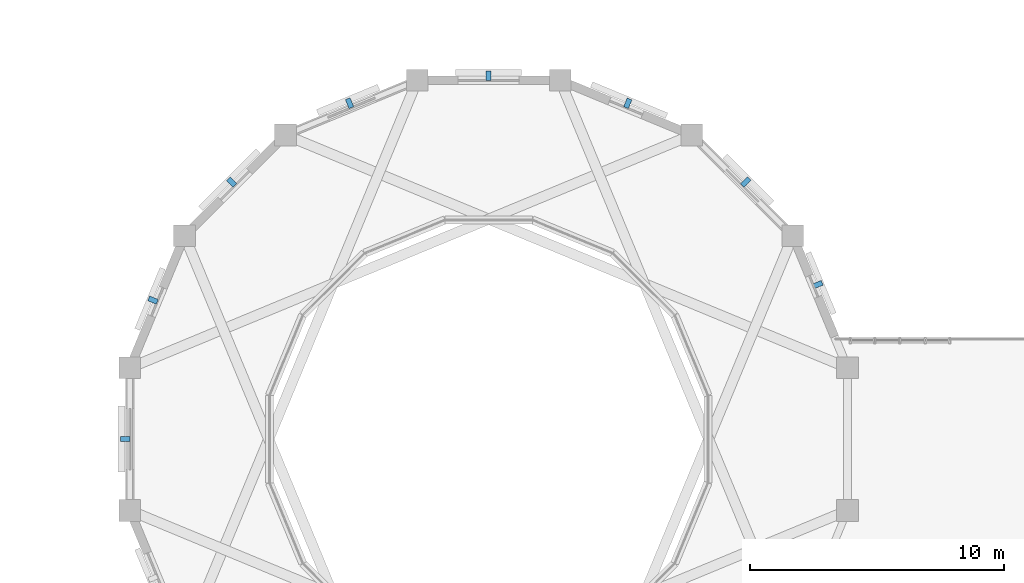
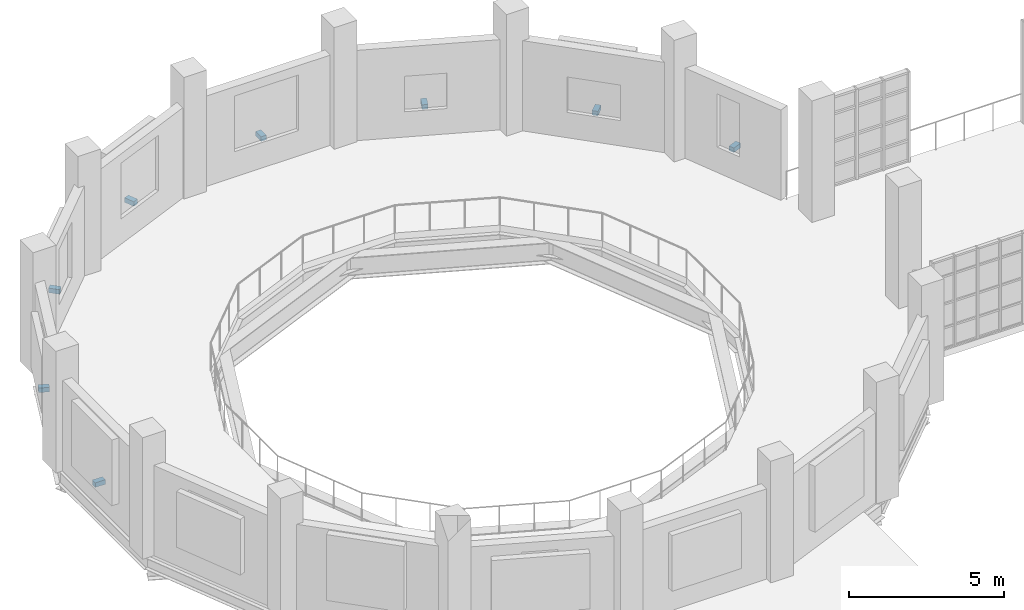
# One storey, part 108 of 122: 8 discrete accessories.
"""IFC4 building model written with IfcOpenShell, lengths in metres."""

from ifc_helpers import new_model, si_unit, direction, frame, origin, place, context, subcontext, project, spatial, polyline, outline, extrude, material, type_object, element, save


model = new_model("IFC4")

# Units and contexts
model_context = context("Model", 3, precision=1e-05, world=origin(), true_north=direction((0.0, 1.0)))
body_context = subcontext(model_context, "Body", "Model", "MODEL_VIEW")
ifc_project = project(units=[si_unit("LENGTHUNIT", "METRE"), si_unit("AREAUNIT", "SQUARE_METRE"), si_unit("VOLUMEUNIT", "CUBIC_METRE"), si_unit("PLANEANGLEUNIT", "RADIAN"), si_unit("MASSUNIT", "GRAM", prefix="KILO"), si_unit("THERMODYNAMICTEMPERATUREUNIT", "KELVIN"), si_unit("POWERUNIT", "WATT")], contexts=[model_context])

# Site, building, storey
site_placement = place(None, origin())
site = spatial("IfcSite", under=ifc_project, at=site_placement, CompositionType="ELEMENT")
building_placement = place(site_placement, origin())
building = spatial("IfcBuilding", under=site, at=building_placement, Name="Zelmaris Science Centre", CompositionType="ELEMENT")
storey_placement = place(building_placement, frame((0.0, 0.0, 10.800048828125)))
storey = spatial("IfcBuildingStorey", under=building, at=storey_placement, Name="L02", CompositionType="ELEMENT", Elevation=10.800048828125)

# Discrete accessories
ifc_material = material(Name="Galvanised steel ASTM A500 Grade B", Category="steel")
discrete_accessory_type = type_object("IfcDiscreteAccessoryType", Name="Facade Bracket BK-02", PredefinedType="BRACKET", material=ifc_material)
discrete_accessory_1_placement = place(storey_placement, frame((0.0, 0.0, 0.919921875)))
element("IfcDiscreteAccessory", 1, at=discrete_accessory_1_placement, inside=storey, type_object=discrete_accessory_type, Name="L02 Louvre support bracket 12", PredefinedType="BRACKET", context=body_context, shape_type="SweptSolid", body=[
    extrude(outline(polyline([(12.876708984375, 71.89990234375), (12.876708984375, 72.10009765625), (12.496826171875, 72.10009765625), (12.496826171875, 71.89990234375), (12.876708984375, 71.89990234375)])), origin(), (0.0, 0.0, 1.0), 0.179931640625),
])
discrete_accessory_2_placement = place(storey_placement, frame((0.0, 0.0, 0.919921875)))
element("IfcDiscreteAccessory", 2, at=discrete_accessory_2_placement, inside=storey, type_object=discrete_accessory_type, Name="L02 Louvre support bracket 13", PredefinedType="BRACKET", context=body_context, shape_type="SweptSolid", body=[
    extrude(outline(polyline([(13.91357421875, 77.3125), (13.989990234375, 77.4970703125), (13.657470703125, 77.635009765625), (13.5810546875, 77.4501953125), (13.91357421875, 77.3125)])), origin(), (0.0, 0.0, 1.0), 0.179931640625),
])
discrete_accessory_3_placement = place(storey_placement, frame((0.0, 0.0, 0.919921875)))
element("IfcDiscreteAccessory", 3, at=discrete_accessory_3_placement, inside=storey, type_object=discrete_accessory_type, Name="L02 Louvre support bracket 14", PredefinedType="BRACKET", context=body_context, shape_type="SweptSolid", body=[
    extrude(outline(polyline([(16.942626953125, 81.916015625), (17.083984375, 82.057373046875), (16.822509765625, 82.319091796875), (16.680908203125, 82.177490234375), (16.942626953125, 81.916015625)])), origin(), (0.0, 0.0, 1.0), 0.179931640625),
])
discrete_accessory_4_placement = place(storey_placement, frame((0.0, 0.0, 0.919921875)))
element("IfcDiscreteAccessory", 4, at=discrete_accessory_4_placement, inside=storey, type_object=discrete_accessory_type, Name="L02 Louvre support bracket 15", PredefinedType="BRACKET", context=body_context, shape_type="SweptSolid", body=[
    extrude(outline(polyline([(21.5029296875, 85.010009765625), (21.687744140625, 85.08642578125), (21.542236328125, 85.4375), (21.357421875, 85.361083984375), (21.5029296875, 85.010009765625)])), origin(), (0.0, 0.0, 1.0), 0.179931640625),
])
discrete_accessory_5_placement = place(storey_placement, frame((0.0, 0.0, 0.919921875)))
element("IfcDiscreteAccessory", 5, at=discrete_accessory_5_placement, inside=storey, type_object=discrete_accessory_type, Name="L02 Louvre support bracket 16", PredefinedType="BRACKET", context=body_context, shape_type="SweptSolid", body=[
    extrude(outline(polyline([(26.89990234375, 86.123291015625), (27.10009765625, 86.123291015625), (27.10009765625, 86.483154296875), (26.89990234375, 86.483154296875), (26.89990234375, 86.123291015625)])), origin(), (0.0, 0.0, 1.0), 0.179931640625),
])
discrete_accessory_6_placement = place(storey_placement, frame((0.0, 0.0, 0.919921875)))
element("IfcDiscreteAccessory", 6, at=discrete_accessory_6_placement, inside=storey, type_object=discrete_accessory_type, Name="L02 Louvre support bracket 17", PredefinedType="BRACKET", context=body_context, shape_type="SweptSolid", body=[
    extrude(outline(polyline([(32.3125, 85.08642578125), (32.4970703125, 85.010009765625), (32.638671875, 85.351806640625), (32.4541015625, 85.42822265625), (32.3125, 85.08642578125)])), origin(), (0.0, 0.0, 1.0), 0.179931640625),
])
discrete_accessory_7_placement = place(storey_placement, frame((0.0, 0.0, 0.919921875)))
element("IfcDiscreteAccessory", 7, at=discrete_accessory_7_placement, inside=storey, type_object=discrete_accessory_type, Name="L02 Louvre support bracket 18", PredefinedType="BRACKET", context=body_context, shape_type="SweptSolid", body=[
    extrude(outline(polyline([(36.916015625, 82.057373046875), (37.057373046875, 81.916015625), (37.325927734375, 82.184814453125), (37.1845703125, 82.326171875), (36.916015625, 82.057373046875)])), origin(), (0.0, 0.0, 1.0), 0.179931640625),
])
discrete_accessory_8_placement = place(storey_placement, frame((0.0, 0.0, 0.919921875)))
element("IfcDiscreteAccessory", 8, at=discrete_accessory_8_placement, inside=storey, type_object=discrete_accessory_type, Name="L02 Louvre support bracket 19", PredefinedType="BRACKET", context=body_context, shape_type="SweptSolid", body=[
    extrude(outline(polyline([(39.755615234375, 78.111083984375), (39.832275390625, 77.92626953125), (40.164794921875, 78.06396484375), (40.08837890625, 78.248779296875), (39.755615234375, 78.111083984375)])), origin(), (0.0, 0.0, 1.0), 0.179931640625),
])

save(model, "model.ifc")
